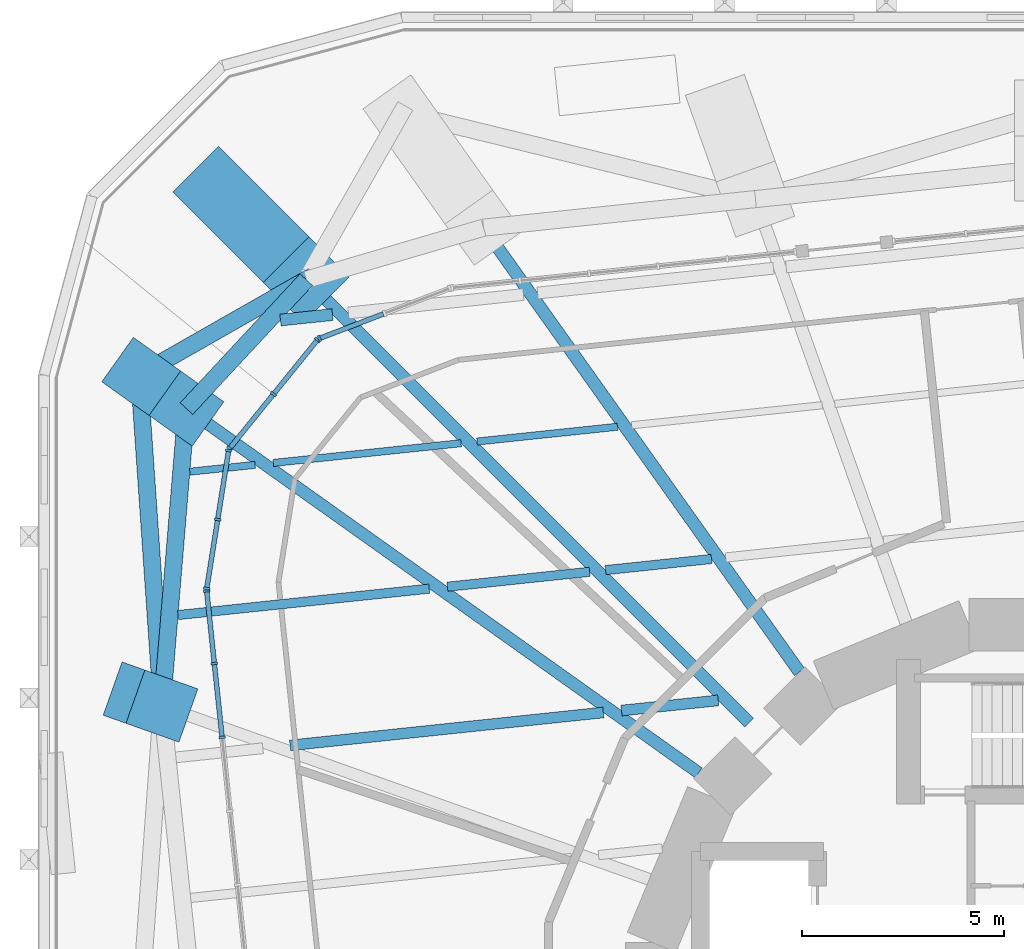
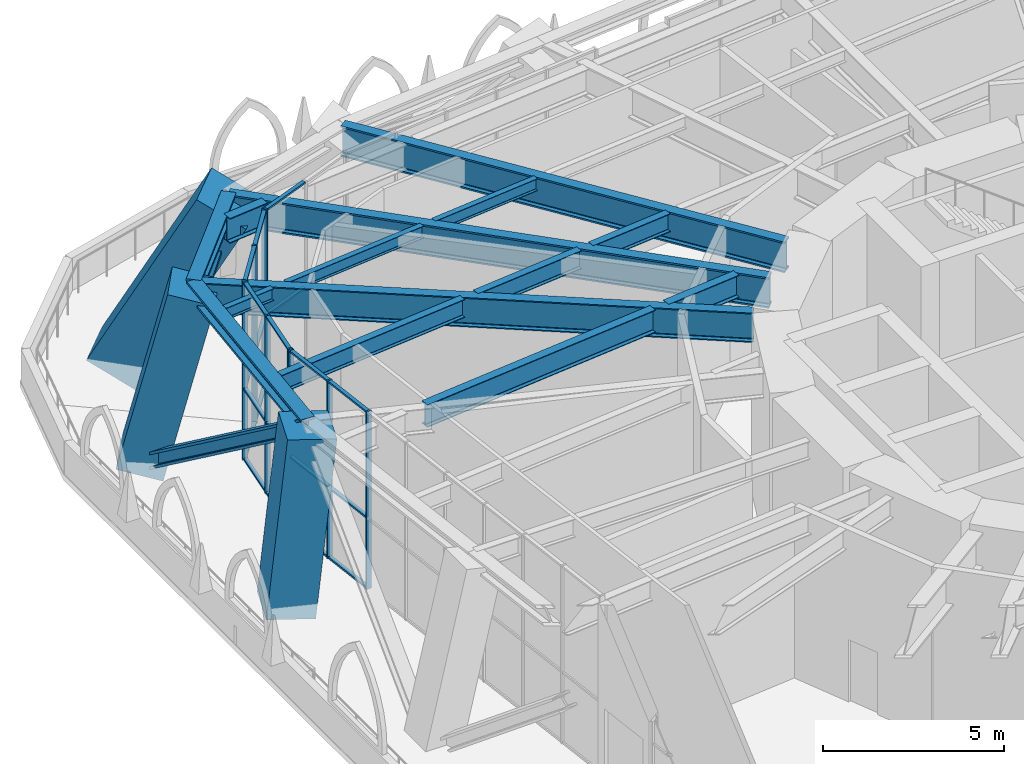
# One storey, part 8 of 20: 38 members, 12 beams, 4 elements without a shape of their own.
"""IFC4 building model written with IfcOpenShell, lengths in metres."""

from ifc_helpers import new_model, si_unit, direction, frame, origin, origin_2d, place, context, subcontext, project, spatial, rectangle, i_section, extrude, material, material_profile, profile_set, type_object, element, aggregate, save


model = new_model("IFC4")

# Units and contexts
model_context = context("Model", 3, precision=1e-05, world=origin(), true_north=direction((0.0, 1.0)))
body_context = subcontext(model_context, "Body", "Model", "MODEL_VIEW")
ifc_project = project(units=[si_unit("LENGTHUNIT", "METRE"), si_unit("AREAUNIT", "SQUARE_METRE"), si_unit("VOLUMEUNIT", "CUBIC_METRE"), si_unit("PLANEANGLEUNIT", "RADIAN"), si_unit("MASSUNIT", "GRAM", prefix="KILO")], contexts=[model_context])

# Site, building, storey
site_placement = place(None, origin())
site = spatial("IfcSite", under=ifc_project, at=site_placement, CompositionType="ELEMENT")
building_placement = place(site_placement, origin())
building = spatial("IfcBuilding", under=site, at=building_placement, Name="Nakasero Lantern House", CompositionType="ELEMENT")
storey_placement = place(building_placement, frame((0.0, 0.0, 54.5)))
storey = spatial("IfcBuildingStorey", under=building, at=storey_placement, Name="L13", CompositionType="ELEMENT", Elevation=54.5)

# Members
ifc_material_1 = material(Name="Steel S355", Category="steel")
ifc_material_profile_1 = material_profile(ifc_material_1, i_section(OverallWidth=0.424072265625, OverallDepth=0.474609375, WebThickness=0.047607421875, FlangeThickness=0.076904296875, FilletRadius=0.01513671875, at=origin_2d()), Name="UC 356x406x634")
ifc_profile_set_1 = profile_set([ifc_material_profile_1], Name="Steel S355")
member_type_1 = type_object("IfcMemberType", Name="Belt truss chord UC 356x406x634", PredefinedType="CHORD", material=ifc_profile_set_1)
member_1_placement = place(storey_placement, frame((-18.359375, 18.359375, 5.562744140625), z_axis=(-0.680906333933, -0.732370510336, 0.0), x_axis=(0.732370510336, -0.680906333933, 0.0)))
element("IfcMember", 1, at=member_1_placement, inside=storey, type_object=member_type_1, Name="Belt truss top chord T1 B2-C12T", PredefinedType="CHORD", context=body_context, shape_type="SweptSolid", body=[
    extrude(i_section(OverallWidth=0.424072265625, OverallDepth=0.474609375, WebThickness=0.047607421875, FlangeThickness=0.076904296875, FilletRadius=0.01513671875, at=origin_2d()), origin(), (0.0, 0.0, 1.0), 4.359619140625),
])
member_2_placement = place(storey_placement, frame((-21.327880859375, 15.16650390625, 5.562744140625), z_axis=(-0.08217080574, -0.996618261264, 0.0), x_axis=(0.996618261264, -0.08217080574, 0.0)))
element("IfcMember", 2, at=member_2_placement, inside=storey, type_object=member_type_1, Name="Belt truss top chord T1 B2-C13T", PredefinedType="CHORD", context=body_context, shape_type="SweptSolid", body=[
    extrude(i_section(OverallWidth=0.424072265625, OverallDepth=0.474609375, WebThickness=0.047607421875, FlangeThickness=0.076904296875, FilletRadius=0.01513671875, at=origin_2d()), origin(), (0.0, 0.0, 1.0), 7.39208984375),
])
ifc_material_2 = material(Name="Steel S355", Category="steel")
ifc_material_profile_2 = material_profile(ifc_material_2, i_section(OverallWidth=0.424072265625, OverallDepth=0.474609375, WebThickness=0.047607421875, FlangeThickness=0.076904296875, FilletRadius=0.01513671875, at=origin_2d()), Name="UC 356x406x634")
ifc_profile_set_2 = profile_set([ifc_material_profile_2], Name="Steel S355")
member_type_2 = type_object("IfcMemberType", Name="Belt truss diagonal UC 356x406x634", PredefinedType="BRACE", material=ifc_profile_set_2)
member_3_placement = place(storey_placement, frame((-18.359375, 18.359375, 5.562744140625), z_axis=(-0.540386618811, -0.307918412983, -0.783050798579), x_axis=(0.495079306219, -0.86884778906, 0.0)))
element("IfcMember", 3, at=member_3_placement, inside=storey, type_object=member_type_2, Name="Belt truss diagonal T1-12", PredefinedType="BRACE", context=body_context, shape_type="SweptSolid", body=[
    extrude(i_section(OverallWidth=0.424072265625, OverallDepth=0.474609375, WebThickness=0.047607421875, FlangeThickness=0.076904296875, FilletRadius=0.01513671875, at=origin_2d()), origin(), (0.0, 0.0, 1.0), 7.662353515625),
])
member_4_placement = place(storey_placement, frame((-22.5, 16.0, -0.437255859375), z_axis=(0.055487926827, -0.805810402985, 0.589568218629), x_axis=(0.997637563478, 0.068697102838, 0.0)))
element("IfcMember", 4, at=member_4_placement, inside=storey, type_object=member_type_2, Name="Belt truss diagonal T1-13", PredefinedType="BRACE", context=body_context, shape_type="SweptSolid", body=[
    extrude(i_section(OverallWidth=0.424072265625, OverallDepth=0.474609375, WebThickness=0.047607421875, FlangeThickness=0.076904296875, FilletRadius=0.01513671875, at=origin_2d()), origin(), (0.0, 0.0, 1.0), 10.177001953125),
])

# Beams
ifc_material_3 = material(Name="Steel S355", Category="steel")
ifc_material_profile_3 = material_profile(ifc_material_3, i_section(OverallWidth=0.177978515625, OverallDepth=0.406494140625, WebThickness=0.0078125, FlangeThickness=0.0126953125, FilletRadius=0.01025390625, at=origin_2d()), Name="UB 406x178x60")
ifc_profile_set_3 = profile_set([ifc_material_profile_3], Name="Steel S355")
beam_type_1 = type_object("IfcBeamType", Name="Infill beam UB 406x178x60", PredefinedType="JOIST", material=ifc_profile_set_3)
beam_1_placement = place(storey_placement, frame((-21.243896484375, 13.60400390625, 5.5966796875), z_axis=(0.994530949802, 0.104442280162, 0.0), x_axis=(-0.104442280162, 0.994530949802, 0.0)))
element("IfcBeam", 5, at=beam_1_placement, inside=storey, type_object=beam_type_1, Name="Infill beam L14 12.1", PredefinedType="JOIST", context=body_context, shape_type="SweptSolid", body=[
    extrude(i_section(OverallWidth=0.177978515625, OverallDepth=0.406494140625, WebThickness=0.0078125, FlangeThickness=0.0126953125, FilletRadius=0.01025390625, at=origin_2d()), origin(), (0.0, 0.0, 1.0), 1.62451171875),
])
beam_2_placement = place(storey_placement, frame((-19.17724609375, 13.821044921875, 5.5966796875), z_axis=(0.994519751088, 0.104548862722, 0.0), x_axis=(-0.104548862722, 0.994519751088, 0.0)))
element("IfcBeam", 6, at=beam_2_placement, inside=storey, type_object=beam_type_1, Name="Infill beam L14 12.2", PredefinedType="JOIST", context=body_context, shape_type="SweptSolid", body=[
    extrude(i_section(OverallWidth=0.177978515625, OverallDepth=0.406494140625, WebThickness=0.0078125, FlangeThickness=0.0126953125, FilletRadius=0.01025390625, at=origin_2d()), origin(), (0.0, 0.0, 1.0), 4.675048828125),
])
beam_3_placement = place(storey_placement, frame((-14.133056640625, 14.351318359375, 5.5966796875), z_axis=(0.994525705273, 0.104492208085, 0.0), x_axis=(-0.104492208085, 0.994525705273, 0.0)))
element("IfcBeam", 7, at=beam_3_placement, inside=storey, type_object=beam_type_1, Name="Infill beam L14 12.3", PredefinedType="JOIST", context=body_context, shape_type="SweptSolid", body=[
    extrude(i_section(OverallWidth=0.177978515625, OverallDepth=0.406494140625, WebThickness=0.0078125, FlangeThickness=0.0126953125, FilletRadius=0.01025390625, at=origin_2d()), origin(), (0.0, 0.0, 1.0), 3.49755859375),
])
ifc_material_4 = material(Name="Steel S355", Category="steel")
ifc_material_profile_4 = material_profile(ifc_material_4, i_section(OverallWidth=0.22900390625, OverallDepth=0.6123046875, WebThickness=0.011962890625, FlangeThickness=0.01953125, FilletRadius=0.0126953125, at=origin_2d()), Name="UB 610x229x125")
ifc_profile_set_4 = profile_set([ifc_material_profile_4], Name="Steel S355")
beam_type_2 = type_object("IfcBeamType", Name="Infill beam UB 610x229x125", PredefinedType="JOIST", material=ifc_profile_set_4)
beam_4_placement = place(storey_placement, frame((-21.53662109375, 10.053955078125, 5.493896484375), z_axis=(0.994521269247, 0.104534420247, 0.0), x_axis=(-0.104534420247, 0.994521269247, 0.0)))
element("IfcBeam", 8, at=beam_4_placement, inside=storey, type_object=beam_type_2, Name="Infill beam L14 11.1", PredefinedType="JOIST", context=body_context, shape_type="SweptSolid", body=[
    extrude(i_section(OverallWidth=0.22900390625, OverallDepth=0.6123046875, WebThickness=0.011962890625, FlangeThickness=0.01953125, FilletRadius=0.0126953125, at=origin_2d()), origin(), (0.0, 0.0, 1.0), 6.25439453125),
])
beam_5_placement = place(storey_placement, frame((-14.865478515625, 10.755126953125, 5.493896484375), z_axis=(0.994524323021, 0.104505363118, 0.0), x_axis=(-0.104505363118, 0.994524323021, 0.0)))
element("IfcBeam", 9, at=beam_5_placement, inside=storey, type_object=beam_type_2, Name="Infill beam L14 11.2", PredefinedType="JOIST", context=body_context, shape_type="SweptSolid", body=[
    extrude(i_section(OverallWidth=0.22900390625, OverallDepth=0.6123046875, WebThickness=0.011962890625, FlangeThickness=0.01953125, FilletRadius=0.0126953125, at=origin_2d()), origin(), (0.0, 0.0, 1.0), 3.54150390625),
])
beam_6_placement = place(storey_placement, frame((-10.948486328125, 11.166748046875, 5.493896484375), z_axis=(0.994521169503, 0.104535369181, 0.0), x_axis=(-0.104535369181, 0.994521169503, 0.0)))
element("IfcBeam", 10, at=beam_6_placement, inside=storey, type_object=beam_type_2, Name="Infill beam L14 11.3", PredefinedType="JOIST", context=body_context, shape_type="SweptSolid", body=[
    extrude(i_section(OverallWidth=0.22900390625, OverallDepth=0.6123046875, WebThickness=0.011962890625, FlangeThickness=0.01953125, FilletRadius=0.0126953125, at=origin_2d()), origin(), (0.0, 0.0, 1.0), 2.63671875),
])
ifc_material_5 = material(Name="Steel S355", Category="steel")
ifc_material_profile_5 = material_profile(ifc_material_5, i_section(OverallWidth=0.2666015625, OverallDepth=0.76220703125, WebThickness=0.014404296875, FlangeThickness=0.021484375, FilletRadius=0.0166015625, at=origin_2d()), Name="UB 762x267x173")
ifc_profile_set_5 = profile_set([ifc_material_profile_5], Name="Steel S355")
beam_type_3 = type_object("IfcBeamType", Name="Infill beam UB 762x267x173", PredefinedType="JOIST", material=ifc_profile_set_5)
beam_7_placement = place(storey_placement, frame((-18.76220703125, 6.826171875, 5.4189453125), z_axis=(0.994520535103, 0.104541404521, 0.0), x_axis=(-0.104541404521, 0.994520535103, 0.0)))
element("IfcBeam", 11, at=beam_7_placement, inside=storey, type_object=beam_type_3, Name="Infill beam L14 10.2", PredefinedType="JOIST", context=body_context, shape_type="SweptSolid", body=[
    extrude(i_section(OverallWidth=0.2666015625, OverallDepth=0.76220703125, WebThickness=0.014404296875, FlangeThickness=0.021484375, FilletRadius=0.0166015625, at=origin_2d()), origin(), (0.0, 0.0, 1.0), 7.800048828125),
])
beam_8_placement = place(storey_placement, frame((-10.5537109375, 7.68896484375, 5.4189453125), z_axis=(0.994521552221, 0.10453172804, 0.0), x_axis=(-0.10453172804, 0.994521552221, 0.0)))
element("IfcBeam", 12, at=beam_8_placement, inside=storey, type_object=beam_type_3, Name="Infill beam L14 10.3", PredefinedType="JOIST", context=body_context, shape_type="SweptSolid", body=[
    extrude(i_section(OverallWidth=0.2666015625, OverallDepth=0.76220703125, WebThickness=0.014404296875, FlangeThickness=0.021484375, FilletRadius=0.0166015625, at=origin_2d()), origin(), (0.0, 0.0, 1.0), 2.407958984375),
])
ifc_material_6 = material(Name="Steel S355", Category="steel")
ifc_material_profile_6 = material_profile(ifc_material_6, i_section(OverallWidth=0.29248046875, OverallDepth=0.8408203125, WebThickness=0.0146484375, FlangeThickness=0.02685546875, FilletRadius=0.017822265625, at=origin_2d()), Name="UB 838x292x194")
ifc_profile_set_6 = profile_set([ifc_material_profile_6], Name="Steel S355")
beam_type_4 = type_object("IfcBeamType", Name="Infill beam UB 838x292x194", PredefinedType="JOIST", material=ifc_profile_set_6)
beam_9_placement = place(storey_placement, frame((-18.999755859375, 17.359130859375, 5.379638671875), z_axis=(0.994526102826, 0.10448842423, 0.0), x_axis=(-0.10448842423, 0.994526102826, 0.0)))
element("IfcBeam", 13, at=beam_9_placement, inside=storey, type_object=beam_type_4, Name="Infill beam L14 13.1", PredefinedType="JOIST", context=body_context, shape_type="SweptSolid", body=[
    extrude(i_section(OverallWidth=0.29248046875, OverallDepth=0.8408203125, WebThickness=0.0146484375, FlangeThickness=0.02685546875, FilletRadius=0.017822265625, at=origin_2d()), origin(), (0.0, 0.0, 1.0), 1.29443359375),
])

# Curtain wall, member
ifc_material_7 = material(Name="Aluminium 6063-T6 and glass", Category="aluminium")
curtain_wall_type = type_object("IfcCurtainWallType", Name="Sky lounge glazing CW-3", PredefinedType="USERDEFINED", material=ifc_material_7)
curtain_wall_1_placement = place(storey_placement, origin())
curtain_wall_1 = element("IfcCurtainWall", 14, at=curtain_wall_1_placement, inside=storey, type_object=curtain_wall_type, Name="Curtain wall CW-3 L13", ObjectType="STICK CURTAIN WALL", PredefinedType="USERDEFINED")
ifc_material_8 = material(Name="Aluminium 6063-T6", Category="aluminium")
ifc_material_profile_7 = material_profile(ifc_material_8, rectangle(XDim=0.06005859375, YDim=0.159912109375, at=origin_2d()), Name="CW-3 mullion 60x160")
ifc_profile_set_7 = profile_set([ifc_material_profile_7], Name="Aluminium 6063-T6")
member_type_3 = type_object("IfcMemberType", Name="Mullion CW-3", PredefinedType="MULLION", material=ifc_profile_set_7)
member_5_placement = place(storey_placement, frame((-18.0361328125, 16.903076171875, 0.0), z_axis=(0.0, 0.0, 1.0), x_axis=(-0.933580426497, -0.358367949545, 0.0)))
member_5 = element("IfcMember", 15, at=member_5_placement, type_object=member_type_3, Name="CW-3 mullion 3", PredefinedType="MULLION", context=body_context, shape_type="SweptSolid", body=[
    extrude(rectangle(XDim=0.06005859375, YDim=0.159912109375, at=origin_2d()), origin(), (0.0, 0.0, 1.0), 6.0),
])

# Curtain wall, members
curtain_wall_2_placement = place(storey_placement, origin())
curtain_wall_2 = element("IfcCurtainWall", 16, at=curtain_wall_2_placement, inside=storey, type_object=curtain_wall_type, Name="Curtain wall CW-3 L13", ObjectType="STICK CURTAIN WALL", PredefinedType="USERDEFINED")
member_6_placement = place(storey_placement, frame((-18.0830078125, 16.869140625, 0.0), z_axis=(0.0, 0.0, 1.0), x_axis=(-0.62932039105, -0.777145961457, 0.0)))
member_6 = element("IfcMember", 17, at=member_6_placement, type_object=member_type_3, Name="CW-3 mullion 1", PredefinedType="MULLION", context=body_context, shape_type="SweptSolid", body=[
    extrude(rectangle(XDim=0.06005859375, YDim=0.159912109375, at=origin_2d()), origin(), (0.0, 0.0, 1.0), 6.0),
])
member_7_placement = place(storey_placement, frame((-19.171630859375, 15.52490234375, 0.0), z_axis=(0.0, 0.0, 1.0), x_axis=(-0.62932039105, -0.777145961457, 0.0)))
member_7 = element("IfcMember", 18, at=member_7_placement, type_object=member_type_3, Name="CW-3 mullion 2", PredefinedType="MULLION", context=body_context, shape_type="SweptSolid", body=[
    extrude(rectangle(XDim=0.06005859375, YDim=0.159912109375, at=origin_2d()), origin(), (0.0, 0.0, 1.0), 6.0),
])
member_8_placement = place(storey_placement, frame((-20.26025390625, 14.1806640625, 0.0), z_axis=(0.0, 0.0, 1.0), x_axis=(-0.62932039105, -0.777145961457, 0.0)))
member_8 = element("IfcMember", 19, at=member_8_placement, type_object=member_type_3, Name="CW-3 mullion 3", PredefinedType="MULLION", context=body_context, shape_type="SweptSolid", body=[
    extrude(rectangle(XDim=0.06005859375, YDim=0.159912109375, at=origin_2d()), origin(), (0.0, 0.0, 1.0), 6.0),
])

curtain_wall_3_placement = place(storey_placement, origin())
curtain_wall_3 = element("IfcCurtainWall", 20, at=curtain_wall_3_placement, inside=storey, type_object=curtain_wall_type, Name="Curtain wall CW-3 L13", ObjectType="STICK CURTAIN WALL", PredefinedType="USERDEFINED")
member_9_placement = place(storey_placement, frame((-20.28369140625, 14.127685546875, 0.0), z_axis=(0.0, 0.0, 1.0), x_axis=(-0.15643446504, -0.987688340595, 0.0)))
member_9 = element("IfcMember", 21, at=member_9_placement, type_object=member_type_3, Name="CW-3 mullion 1", PredefinedType="MULLION", context=body_context, shape_type="SweptSolid", body=[
    extrude(rectangle(XDim=0.06005859375, YDim=0.159912109375, at=origin_2d()), origin(), (0.0, 0.0, 1.0), 6.0),
])
member_10_placement = place(storey_placement, frame((-20.55419921875, 12.419189453125, 0.0), z_axis=(0.0, 0.0, 1.0), x_axis=(-0.15643446504, -0.987688340595, 0.0)))
member_10 = element("IfcMember", 22, at=member_10_placement, type_object=member_type_3, Name="CW-3 mullion 2", PredefinedType="MULLION", context=body_context, shape_type="SweptSolid", body=[
    extrude(rectangle(XDim=0.06005859375, YDim=0.159912109375, at=origin_2d()), origin(), (0.0, 0.0, 1.0), 6.0),
])
member_11_placement = place(storey_placement, frame((-20.824951171875, 10.7109375, 0.0), z_axis=(0.0, 0.0, 1.0), x_axis=(-0.15643446504, -0.987688340595, 0.0)))
member_11 = element("IfcMember", 23, at=member_11_placement, type_object=member_type_3, Name="CW-3 mullion 3", PredefinedType="MULLION", context=body_context, shape_type="SweptSolid", body=[
    extrude(rectangle(XDim=0.06005859375, YDim=0.159912109375, at=origin_2d()), origin(), (0.0, 0.0, 1.0), 6.0),
])

curtain_wall_4_placement = place(storey_placement, origin())
curtain_wall_4 = element("IfcCurtainWall", 24, at=curtain_wall_4_placement, inside=storey, type_object=curtain_wall_type, Name="Curtain wall CW-3 L13", ObjectType="STICK CURTAIN WALL", PredefinedType="USERDEFINED")
member_12_placement = place(storey_placement, frame((-20.826416015625, 10.6513671875, 0.0), z_axis=(0.0, 0.0, 1.0), x_axis=(0.104528463268, -0.994521895368, 0.0)))
member_12 = element("IfcMember", 25, at=member_12_placement, type_object=member_type_3, Name="CW-3 mullion 1", PredefinedType="MULLION", context=body_context, shape_type="SweptSolid", body=[
    extrude(rectangle(XDim=0.06005859375, YDim=0.159912109375, at=origin_2d()), origin(), (0.0, 0.0, 1.0), 6.0),
])
member_13_placement = place(storey_placement, frame((-20.637451171875, 8.853759765625, 0.0), z_axis=(0.0, 0.0, 1.0), x_axis=(0.104528463268, -0.994521895368, 0.0)))
member_13 = element("IfcMember", 26, at=member_13_placement, type_object=member_type_3, Name="CW-3 mullion 2", PredefinedType="MULLION", context=body_context, shape_type="SweptSolid", body=[
    extrude(rectangle(XDim=0.06005859375, YDim=0.159912109375, at=origin_2d()), origin(), (0.0, 0.0, 1.0), 6.0),
])
member_14_placement = place(storey_placement, frame((-20.445556640625, 7.0263671875, 0.0), z_axis=(0.0, 0.0, 1.0), x_axis=(0.104528463268, -0.994521895368, 0.0)))
member_14 = element("IfcMember", 27, at=member_14_placement, type_object=member_type_3, Name="CW-3 mullion 3", PredefinedType="MULLION", context=body_context, shape_type="SweptSolid", body=[
    extrude(rectangle(XDim=0.06005859375, YDim=0.159912109375, at=origin_2d()), origin(), (0.0, 0.0, 1.0), 6.0),
])

# Beams
ifc_material_9 = material(Name="Steel S355", Category="steel")
ifc_material_profile_8 = material_profile(ifc_material_9, i_section(OverallWidth=0.300048828125, OverallDepth=1.0, WebThickness=0.01904296875, FlangeThickness=0.035888671875, FilletRadius=0.030029296875, at=origin_2d()), Name="UB 1016x305x314")
ifc_profile_set_8 = profile_set([ifc_material_profile_8], Name="Steel S355")
beam_type_5 = type_object("IfcBeamType", Name="Primary beam UB 1016x305x314, span over 15 m", PredefinedType="BEAM", material=ifc_profile_set_8)
beam_10_placement = place(storey_placement, frame((-21.327880859375, 15.16650390625, 5.300048828125), z_axis=(0.814951538239, -0.57952911085, 0.0), x_axis=(0.57952911085, 0.814951538239, 0.0)))
element("IfcBeam", 28, at=beam_10_placement, inside=storey, type_object=beam_type_5, Name="Primary beam L14 B2-C13T", PredefinedType="BEAM", context=body_context, shape_type="SweptSolid", body=[
    extrude(i_section(OverallWidth=0.300048828125, OverallDepth=1.0, WebThickness=0.01904296875, FlangeThickness=0.035888671875, FilletRadius=0.030029296875, at=origin_2d()), origin(), (0.0, 0.0, 1.0), 15.564697265625),
])
ifc_material_10 = material(Name="Steel S355", Category="steel")
ifc_material_profile_9 = material_profile(ifc_material_10, i_section(OverallWidth=0.30859375, OverallDepth=1.036376953125, WebThickness=0.030029296875, FlangeThickness=0.05419921875, FilletRadius=0.030029296875, at=origin_2d()), Name="UB 1016x305x487")
ifc_profile_set_9 = profile_set([ifc_material_profile_9], Name="Steel S355")
beam_type_6 = type_object("IfcBeamType", Name="Primary beam UB 1016x305x487, span 12 to 15 m", PredefinedType="BEAM", material=ifc_profile_set_9)
beam_11_placement = place(storey_placement, frame((-13.971435546875, 19.647216796875, 5.28173828125), z_axis=(0.579533393168, -0.814948492976, 0.0), x_axis=(0.814948492976, 0.579533393168, 0.0)))
element("IfcBeam", 29, at=beam_11_placement, inside=storey, type_object=beam_type_6, Name="Primary beam L14 B2-C11T", PredefinedType="BEAM", context=body_context, shape_type="SweptSolid", body=[
    extrude(i_section(OverallWidth=0.30859375, OverallDepth=1.036376953125, WebThickness=0.030029296875, FlangeThickness=0.05419921875, FilletRadius=0.030029296875, at=origin_2d()), origin(), (0.0, 0.0, 1.0), 13.502685546875),
])
ifc_material_11 = material(Name="Steel S355", Category="steel")
ifc_material_profile_10 = material_profile(ifc_material_11, i_section(OverallWidth=0.30859375, OverallDepth=1.036376953125, WebThickness=0.030029296875, FlangeThickness=0.05419921875, FilletRadius=0.030029296875, at=origin_2d()), Name="UB 1016x305x487")
ifc_profile_set_10 = profile_set([ifc_material_profile_10], Name="Steel S355")
beam_type_7 = type_object("IfcBeamType", Name="Primary beam UB 1016x305x487, span over 15 m", PredefinedType="BEAM", material=ifc_profile_set_10)
beam_12_placement = place(storey_placement, frame((-18.359375, 18.359375, 5.28173828125), z_axis=(0.707106781187, -0.707106781187, 0.0), x_axis=(0.707106781187, 0.707106781187, 0.0)))
element("IfcBeam", 30, at=beam_12_placement, inside=storey, type_object=beam_type_7, Name="Primary beam L14 B2-C12T", PredefinedType="BEAM", context=body_context, shape_type="SweptSolid", body=[
    extrude(i_section(OverallWidth=0.30859375, OverallDepth=1.036376953125, WebThickness=0.030029296875, FlangeThickness=0.05419921875, FilletRadius=0.030029296875, at=origin_2d()), origin(), (0.0, 0.0, 1.0), 15.50634765625),
])

# Members
ifc_material_12 = material(Name="Concrete C50/60", Category="concrete")
ifc_material_profile_11 = material_profile(ifc_material_12, rectangle(XDim=1.35009765625, YDim=1.35009765625, at=origin_2d()), Name="RC 1350x1350")
ifc_profile_set_11 = profile_set([ifc_material_profile_11], Name="Concrete C50/60")
member_type_4 = type_object("IfcMemberType", Name="Raking column RC 1350x1350 C50/60", PredefinedType="STRUT", material=ifc_profile_set_11)
member_15_placement = place(storey_placement, frame((-22.5, 16.0, -0.437255859375), z_axis=(0.189971488181, -0.135089077411, 0.972451425441), x_axis=(0.579518775757, 0.814958887641, 0.0)))
element("IfcMember", 31, at=member_15_placement, inside=storey, type_object=member_type_4, Name="Raking column B2-C13T L13", PredefinedType="STRUT", context=body_context, shape_type="SweptSolid", body=[
    extrude(rectangle(XDim=1.35009765625, YDim=1.35009765625, at=origin_2d()), origin(), (0.0, 0.0, 1.0), 6.169921875),
])
ifc_material_13 = material(Name="Concrete C50/60", Category="concrete")
ifc_material_profile_12 = material_profile(ifc_material_13, rectangle(XDim=1.39990234375, YDim=1.39990234375, at=origin_2d()), Name="RC 1400x1400")
ifc_profile_set_12 = profile_set([ifc_material_profile_12], Name="Concrete C50/60")
member_type_5 = type_object("IfcMemberType", Name="Raking column RC 1400x1400 C50/60", PredefinedType="STRUT", material=ifc_profile_set_12)
member_16_placement = place(storey_placement, frame((-22.5, 8.0, -0.437255859375), z_axis=(0.093650215843, -0.033281659067, 0.995048726567), x_axis=(0.334865000637, 0.942266114932, 0.0)))
element("IfcMember", 32, at=member_16_placement, inside=storey, type_object=member_type_5, Name="Raking column B2-C14T L13", PredefinedType="STRUT", context=body_context, shape_type="SweptSolid", body=[
    extrude(rectangle(XDim=1.39990234375, YDim=1.39990234375, at=origin_2d()), origin(), (0.0, 0.0, 1.0), 6.02978515625),
])
ifc_material_14 = material(Name="Concrete C50/60", Category="concrete")
ifc_material_profile_13 = material_profile(ifc_material_14, rectangle(XDim=1.60009765625, YDim=1.60009765625, at=origin_2d()), Name="RC 1600x1600")
ifc_profile_set_13 = profile_set([ifc_material_profile_13], Name="Concrete C50/60")
member_type_6 = type_object("IfcMemberType", Name="Raking column RC 1600x1600 C50/60", PredefinedType="STRUT", material=ifc_profile_set_13)
member_17_placement = place(storey_placement, frame((-20.59619140625, 20.59619140625, -0.437255859375), z_axis=(0.329776587984, -0.329776587984, 0.88458736371), x_axis=(0.707106781187, 0.707106781187, 0.0)))
element("IfcMember", 33, at=member_17_placement, inside=storey, type_object=member_type_6, Name="Raking column B2-C12T L13", PredefinedType="STRUT", context=body_context, shape_type="SweptSolid", body=[
    extrude(rectangle(XDim=1.60009765625, YDim=1.60009765625, at=origin_2d()), origin(), (0.0, 0.0, 1.0), 6.78271484375),
])

# Member
ifc_material_15 = material(Name="Aluminium 6063-T6", Category="aluminium")
ifc_material_profile_14 = material_profile(ifc_material_15, rectangle(XDim=0.06005859375, YDim=0.1201171875, at=origin_2d()), Name="CW-3 transom 60x120")
ifc_profile_set_14 = profile_set([ifc_material_profile_14], Name="Aluminium 6063-T6")
member_type_7 = type_object("IfcMemberType", Name="Transom CW-3", PredefinedType="USERDEFINED", material=ifc_profile_set_14)
member_18_placement = place(storey_placement, frame((-16.449462890625, 17.51220703125, 0.030029296875), z_axis=(-0.933579050111, -0.358371535133, 0.0), x_axis=(0.0, 0.0, 1.0)))
member_18 = element("IfcMember", 34, at=member_18_placement, type_object=member_type_7, Name="CW-3 transom 2.1", ObjectType="TRANSOM", PredefinedType="USERDEFINED", context=body_context, shape_type="SweptSolid", body=[
    extrude(rectangle(XDim=0.06005859375, YDim=0.1201171875, at=origin_2d()), origin(), (0.0, 0.0, 1.0), 1.669677734375),
])

member_19_placement = place(storey_placement, frame((-16.449462890625, 17.51220703125, 2.39990234375), z_axis=(-0.933579050111, -0.358371535133, 0.0), x_axis=(0.0, 0.0, 1.0)))
member_19 = element("IfcMember", 35, at=member_19_placement, type_object=member_type_7, Name="CW-3 transom 2.2", ObjectType="TRANSOM", PredefinedType="USERDEFINED", context=body_context, shape_type="SweptSolid", body=[
    extrude(rectangle(XDim=0.06005859375, YDim=0.1201171875, at=origin_2d()), origin(), (0.0, 0.0, 1.0), 1.669677734375),
])

member_20_placement = place(storey_placement, frame((-16.449462890625, 17.51220703125, 5.969970703125), z_axis=(-0.933579050111, -0.358371535133, 0.0), x_axis=(0.0, 0.0, 1.0)))
member_20 = element("IfcMember", 36, at=member_20_placement, type_object=member_type_7, Name="CW-3 transom 2.3", ObjectType="TRANSOM", PredefinedType="USERDEFINED", context=body_context, shape_type="SweptSolid", body=[
    extrude(rectangle(XDim=0.06005859375, YDim=0.1201171875, at=origin_2d()), origin(), (0.0, 0.0, 1.0), 1.669677734375),
])

aggregate(curtain_wall_1, [member_5, member_18, member_19, member_20])

member_21_placement = place(storey_placement, frame((-18.10205078125, 16.845703125, 0.030029296875), z_axis=(-0.629320202384, -0.777146114236, 0.0), x_axis=(0.0, 0.0, 1.0)))
member_21 = element("IfcMember", 37, at=member_21_placement, type_object=member_type_7, Name="CW-3 transom 1.1", ObjectType="TRANSOM", PredefinedType="USERDEFINED", context=body_context, shape_type="SweptSolid", body=[
    extrude(rectangle(XDim=0.06005859375, YDim=0.1201171875, at=origin_2d()), origin(), (0.0, 0.0, 1.0), 1.669677734375),
])

member_22_placement = place(storey_placement, frame((-18.10205078125, 16.845703125, 2.39990234375), z_axis=(-0.629320202384, -0.777146114236, 0.0), x_axis=(0.0, 0.0, 1.0)))
member_22 = element("IfcMember", 38, at=member_22_placement, type_object=member_type_7, Name="CW-3 transom 1.2", ObjectType="TRANSOM", PredefinedType="USERDEFINED", context=body_context, shape_type="SweptSolid", body=[
    extrude(rectangle(XDim=0.06005859375, YDim=0.1201171875, at=origin_2d()), origin(), (0.0, 0.0, 1.0), 1.669677734375),
])

member_23_placement = place(storey_placement, frame((-18.10205078125, 16.845703125, 5.969970703125), z_axis=(-0.629320202384, -0.777146114236, 0.0), x_axis=(0.0, 0.0, 1.0)))
member_23 = element("IfcMember", 39, at=member_23_placement, type_object=member_type_7, Name="CW-3 transom 1.3", ObjectType="TRANSOM", PredefinedType="USERDEFINED", context=body_context, shape_type="SweptSolid", body=[
    extrude(rectangle(XDim=0.06005859375, YDim=0.1201171875, at=origin_2d()), origin(), (0.0, 0.0, 1.0), 1.669677734375),
])

member_24_placement = place(storey_placement, frame((-19.1904296875, 15.50146484375, 0.030029296875), z_axis=(-0.629320202384, -0.777146114236, 0.0), x_axis=(0.0, 0.0, 1.0)))
member_24 = element("IfcMember", 40, at=member_24_placement, type_object=member_type_7, Name="CW-3 transom 2.1", ObjectType="TRANSOM", PredefinedType="USERDEFINED", context=body_context, shape_type="SweptSolid", body=[
    extrude(rectangle(XDim=0.06005859375, YDim=0.1201171875, at=origin_2d()), origin(), (0.0, 0.0, 1.0), 1.669677734375),
])

member_25_placement = place(storey_placement, frame((-19.1904296875, 15.50146484375, 2.39990234375), z_axis=(-0.629320202384, -0.777146114236, 0.0), x_axis=(0.0, 0.0, 1.0)))
member_25 = element("IfcMember", 41, at=member_25_placement, type_object=member_type_7, Name="CW-3 transom 2.2", ObjectType="TRANSOM", PredefinedType="USERDEFINED", context=body_context, shape_type="SweptSolid", body=[
    extrude(rectangle(XDim=0.06005859375, YDim=0.1201171875, at=origin_2d()), origin(), (0.0, 0.0, 1.0), 1.669677734375),
])

member_26_placement = place(storey_placement, frame((-19.1904296875, 15.50146484375, 5.969970703125), z_axis=(-0.629320202384, -0.777146114236, 0.0), x_axis=(0.0, 0.0, 1.0)))
member_26 = element("IfcMember", 42, at=member_26_placement, type_object=member_type_7, Name="CW-3 transom 2.3", ObjectType="TRANSOM", PredefinedType="USERDEFINED", context=body_context, shape_type="SweptSolid", body=[
    extrude(rectangle(XDim=0.06005859375, YDim=0.1201171875, at=origin_2d()), origin(), (0.0, 0.0, 1.0), 1.669677734375),
])

aggregate(curtain_wall_2, [member_6, member_7, member_8, member_21, member_22, member_23, member_24, member_25, member_26])

member_27_placement = place(storey_placement, frame((-20.288330078125, 14.09814453125, 0.030029296875), z_axis=(-0.156450598105, -0.987685785234, 0.0), x_axis=(0.0, 0.0, 1.0)))
member_27 = element("IfcMember", 43, at=member_27_placement, type_object=member_type_7, Name="CW-3 transom 1.1", ObjectType="TRANSOM", PredefinedType="USERDEFINED", context=body_context, shape_type="SweptSolid", body=[
    extrude(rectangle(XDim=0.06005859375, YDim=0.1201171875, at=origin_2d()), origin(), (0.0, 0.0, 1.0), 1.669677734375),
])

member_28_placement = place(storey_placement, frame((-20.288330078125, 14.09814453125, 2.39990234375), z_axis=(-0.156450598105, -0.987685785234, 0.0), x_axis=(0.0, 0.0, 1.0)))
member_28 = element("IfcMember", 44, at=member_28_placement, type_object=member_type_7, Name="CW-3 transom 1.2", ObjectType="TRANSOM", PredefinedType="USERDEFINED", context=body_context, shape_type="SweptSolid", body=[
    extrude(rectangle(XDim=0.06005859375, YDim=0.1201171875, at=origin_2d()), origin(), (0.0, 0.0, 1.0), 1.669677734375),
])

member_29_placement = place(storey_placement, frame((-20.288330078125, 14.09814453125, 5.969970703125), z_axis=(-0.156450598105, -0.987685785234, 0.0), x_axis=(0.0, 0.0, 1.0)))
member_29 = element("IfcMember", 45, at=member_29_placement, type_object=member_type_7, Name="CW-3 transom 1.3", ObjectType="TRANSOM", PredefinedType="USERDEFINED", context=body_context, shape_type="SweptSolid", body=[
    extrude(rectangle(XDim=0.06005859375, YDim=0.1201171875, at=origin_2d()), origin(), (0.0, 0.0, 1.0), 1.669677734375),
])

member_30_placement = place(storey_placement, frame((-20.55908203125, 12.3896484375, 0.030029296875), z_axis=(-0.156450598105, -0.987685785234, 0.0), x_axis=(0.0, 0.0, 1.0)))
member_30 = element("IfcMember", 46, at=member_30_placement, type_object=member_type_7, Name="CW-3 transom 2.1", ObjectType="TRANSOM", PredefinedType="USERDEFINED", context=body_context, shape_type="SweptSolid", body=[
    extrude(rectangle(XDim=0.06005859375, YDim=0.1201171875, at=origin_2d()), origin(), (0.0, 0.0, 1.0), 1.669677734375),
])

member_31_placement = place(storey_placement, frame((-20.55908203125, 12.3896484375, 2.39990234375), z_axis=(-0.156450598105, -0.987685785234, 0.0), x_axis=(0.0, 0.0, 1.0)))
member_31 = element("IfcMember", 47, at=member_31_placement, type_object=member_type_7, Name="CW-3 transom 2.2", ObjectType="TRANSOM", PredefinedType="USERDEFINED", context=body_context, shape_type="SweptSolid", body=[
    extrude(rectangle(XDim=0.06005859375, YDim=0.1201171875, at=origin_2d()), origin(), (0.0, 0.0, 1.0), 1.669677734375),
])

member_32_placement = place(storey_placement, frame((-20.55908203125, 12.3896484375, 5.969970703125), z_axis=(-0.156450598105, -0.987685785234, 0.0), x_axis=(0.0, 0.0, 1.0)))
member_32 = element("IfcMember", 48, at=member_32_placement, type_object=member_type_7, Name="CW-3 transom 2.3", ObjectType="TRANSOM", PredefinedType="USERDEFINED", context=body_context, shape_type="SweptSolid", body=[
    extrude(rectangle(XDim=0.06005859375, YDim=0.1201171875, at=origin_2d()), origin(), (0.0, 0.0, 1.0), 1.669677734375),
])

aggregate(curtain_wall_3, [member_9, member_10, member_11, member_27, member_28, member_29, member_30, member_31, member_32])

member_33_placement = place(storey_placement, frame((-20.8232421875, 10.62158203125, 0.030029296875), z_axis=(0.104495709004, -0.994525337435, 0.0), x_axis=(0.0, 0.0, 1.0)))
member_33 = element("IfcMember", 49, at=member_33_placement, type_object=member_type_7, Name="CW-3 transom 1.1", ObjectType="TRANSOM", PredefinedType="USERDEFINED", context=body_context, shape_type="SweptSolid", body=[
    extrude(rectangle(XDim=0.06005859375, YDim=0.1201171875, at=origin_2d()), origin(), (0.0, 0.0, 1.0), 1.74755859375),
])

member_34_placement = place(storey_placement, frame((-20.8232421875, 10.62158203125, 2.39990234375), z_axis=(0.104495709004, -0.994525337435, 0.0), x_axis=(0.0, 0.0, 1.0)))
member_34 = element("IfcMember", 50, at=member_34_placement, type_object=member_type_7, Name="CW-3 transom 1.2", ObjectType="TRANSOM", PredefinedType="USERDEFINED", context=body_context, shape_type="SweptSolid", body=[
    extrude(rectangle(XDim=0.06005859375, YDim=0.1201171875, at=origin_2d()), origin(), (0.0, 0.0, 1.0), 1.74755859375),
])

member_35_placement = place(storey_placement, frame((-20.8232421875, 10.62158203125, 5.969970703125), z_axis=(0.104495709004, -0.994525337435, 0.0), x_axis=(0.0, 0.0, 1.0)))
member_35 = element("IfcMember", 51, at=member_35_placement, type_object=member_type_7, Name="CW-3 transom 1.3", ObjectType="TRANSOM", PredefinedType="USERDEFINED", context=body_context, shape_type="SweptSolid", body=[
    extrude(rectangle(XDim=0.06005859375, YDim=0.1201171875, at=origin_2d()), origin(), (0.0, 0.0, 1.0), 1.74755859375),
])

member_36_placement = place(storey_placement, frame((-20.63427734375, 8.823974609375, 0.030029296875), z_axis=(0.104520344117, -0.994522748692, 0.0), x_axis=(0.0, 0.0, 1.0)))
member_36 = element("IfcMember", 52, at=member_36_placement, type_object=member_type_7, Name="CW-3 transom 2.1", ObjectType="TRANSOM", PredefinedType="USERDEFINED", context=body_context, shape_type="SweptSolid", body=[
    extrude(rectangle(XDim=0.06005859375, YDim=0.1201171875, at=origin_2d()), origin(), (0.0, 0.0, 1.0), 1.777587890625),
])

member_37_placement = place(storey_placement, frame((-20.63427734375, 8.823974609375, 2.39990234375), z_axis=(0.104520344117, -0.994522748692, 0.0), x_axis=(0.0, 0.0, 1.0)))
member_37 = element("IfcMember", 53, at=member_37_placement, type_object=member_type_7, Name="CW-3 transom 2.2", ObjectType="TRANSOM", PredefinedType="USERDEFINED", context=body_context, shape_type="SweptSolid", body=[
    extrude(rectangle(XDim=0.06005859375, YDim=0.1201171875, at=origin_2d()), origin(), (0.0, 0.0, 1.0), 1.777587890625),
])

member_38_placement = place(storey_placement, frame((-20.63427734375, 8.823974609375, 5.969970703125), z_axis=(0.104520344117, -0.994522748692, 0.0), x_axis=(0.0, 0.0, 1.0)))
member_38 = element("IfcMember", 54, at=member_38_placement, type_object=member_type_7, Name="CW-3 transom 2.3", ObjectType="TRANSOM", PredefinedType="USERDEFINED", context=body_context, shape_type="SweptSolid", body=[
    extrude(rectangle(XDim=0.06005859375, YDim=0.1201171875, at=origin_2d()), origin(), (0.0, 0.0, 1.0), 1.777587890625),
])

aggregate(curtain_wall_4, [member_12, member_13, member_14, member_33, member_34, member_35, member_36, member_37, member_38])

save(model, "model.ifc")
